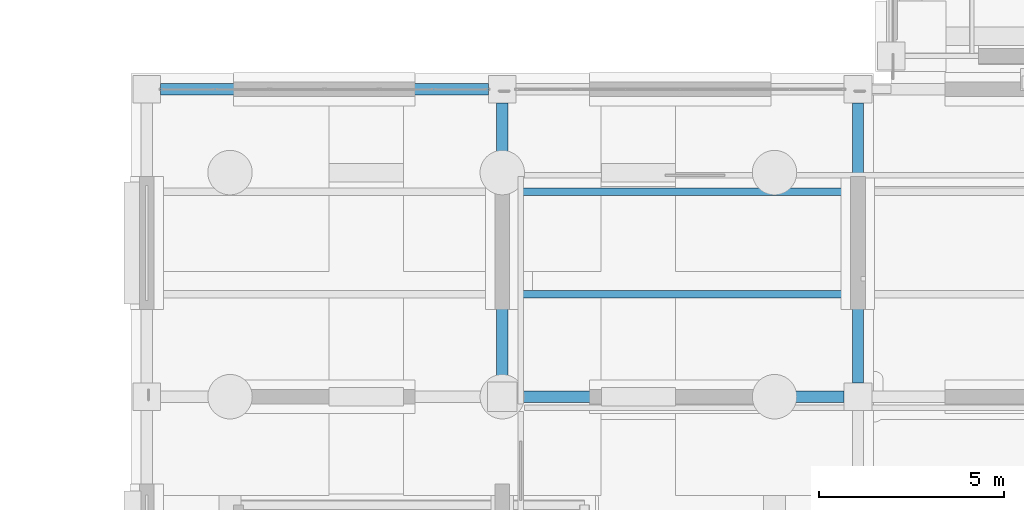
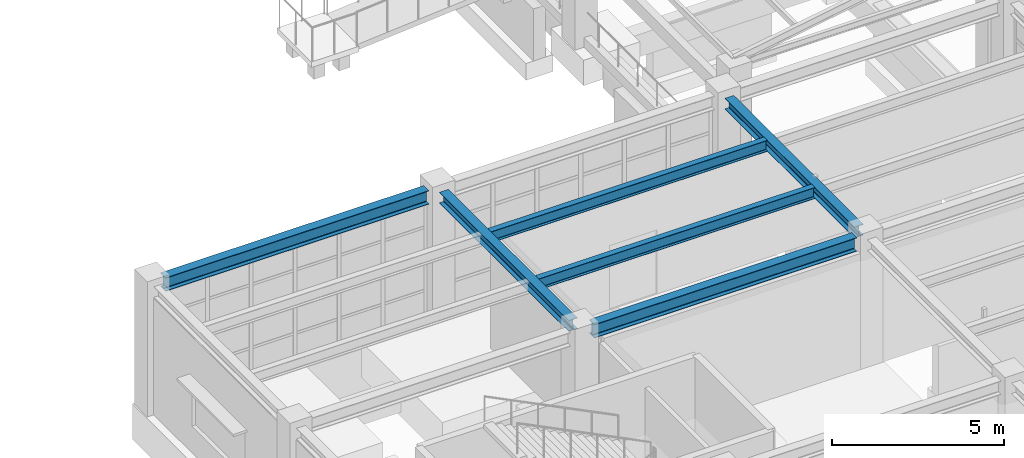
# One storey, part 49 of 111: 6 beams.
"""IFC4 building model written with IfcOpenShell, lengths in metres."""

from ifc_helpers import new_model, si_unit, direction, frame, origin, origin_2d, place, context, subcontext, project, spatial, i_section, extrude, material, material_profile, profile_set, type_object, element, save


model = new_model("IFC4")

# Units and contexts
model_context = context("Model", 3, precision=1e-05, world=origin(), true_north=direction((0.0, 1.0)))
body_context = subcontext(model_context, "Body", "Model", "MODEL_VIEW")
ifc_project = project(units=[si_unit("LENGTHUNIT", "METRE"), si_unit("AREAUNIT", "SQUARE_METRE"), si_unit("VOLUMEUNIT", "CUBIC_METRE"), si_unit("PLANEANGLEUNIT", "RADIAN"), si_unit("MASSUNIT", "GRAM", prefix="KILO")], contexts=[model_context])

# Site, building, storey
site_placement = place(None, origin())
site = spatial("IfcSite", under=ifc_project, at=site_placement, CompositionType="ELEMENT")
building_placement = place(site_placement, origin())
building = spatial("IfcBuilding", under=site, at=building_placement, Name="Canglan Escarpment Cableway Terminal", CompositionType="ELEMENT")
storey_placement = place(building_placement, frame((0.0, 0.0, 4.800048828125)))
storey = spatial("IfcBuildingStorey", under=building, at=storey_placement, Name="L01", CompositionType="ELEMENT", Elevation=4.800048828125)

# Beams
ifc_material = material(Name="Steel Q355B", Category="steel")
ifc_material_profile_1 = material_profile(ifc_material, i_section(OverallWidth=0.300048828125, OverallDepth=0.389892578125, WebThickness=0.010009765625, FlangeThickness=0.01611328125, FilletRadius=0.02197265625, at=origin_2d()), Name="HM 390x300x10x16")
ifc_profile_set_1 = profile_set([ifc_material_profile_1], Name="Steel Q355B")
beam_type_1 = type_object("IfcBeamType", Name="BM-ARCH-TOP-HM390", PredefinedType="BEAM", material=ifc_profile_set_1)
beam_1_placement = place(storey_placement, frame((156.800048828125, 25.199951171875, 4.35498046875), z_axis=(0.0, 1.0, 0.0), x_axis=(-1.0, 0.0, 0.0)))
element("IfcBeam", 1, at=beam_1_placement, inside=storey, type_object=beam_type_1, Name="Primary transverse girder AR-TC1", PredefinedType="BEAM", context=body_context, shape_type="SweptSolid", body=[
    extrude(i_section(OverallWidth=0.300048828125, OverallDepth=0.389892578125, WebThickness=0.010009765625, FlangeThickness=0.01611328125, FilletRadius=0.02197265625, at=origin_2d()), origin(), (0.0, 0.0, 1.0), 7.525146484375),
])
beam_2_placement = place(storey_placement, frame((166.39990234375, 25.175048828125, 4.3349609375), z_axis=(0.0, 1.0, 0.0), x_axis=(-1.0, 0.0, 0.0)))
element("IfcBeam", 2, at=beam_2_placement, inside=storey, type_object=beam_type_1, Name="Primary transverse girder AR-TC1", PredefinedType="BEAM", context=body_context, shape_type="SweptSolid", body=[
    extrude(i_section(OverallWidth=0.300048828125, OverallDepth=0.389892578125, WebThickness=0.010009765625, FlangeThickness=0.01611328125, FilletRadius=0.02197265625, at=origin_2d()), origin(), (0.0, 0.0, 1.0), 7.550048828125),
])
ifc_material_profile_2 = material_profile(ifc_material, i_section(OverallWidth=0.300048828125, OverallDepth=0.488037109375, WebThickness=0.010986328125, FlangeThickness=0.01806640625, FilletRadius=0.02587890625, at=origin_2d()), Name="HM 488x300x11x18")
ifc_profile_set_2 = profile_set([ifc_material_profile_2], Name="Steel Q355B")
beam_type_2 = type_object("IfcBeamType", Name="BM-HM488", PredefinedType="BEAM", material=ifc_profile_set_2)
beam_3_placement = place(storey_placement, frame((157.199951171875, 24.800048828125, 4.305908203125), z_axis=(1.0, 0.0, 0.0), x_axis=(0.0, 1.0, 0.0)))
element("IfcBeam", 3, at=beam_3_placement, inside=storey, type_object=beam_type_2, Name="Primary structural girder B-09", PredefinedType="BEAM", context=body_context, shape_type="SweptSolid", body=[
    extrude(i_section(OverallWidth=0.300048828125, OverallDepth=0.488037109375, WebThickness=0.010986328125, FlangeThickness=0.01806640625, FilletRadius=0.02587890625, at=origin_2d()), origin(), (0.0, 0.0, 1.0), 8.824951171875),
])
beam_4_placement = place(storey_placement, frame((147.574951171875, 33.10009765625, 4.305908203125), z_axis=(1.0, 0.0, 0.0), x_axis=(0.0, 1.0, 0.0)))
element("IfcBeam", 4, at=beam_4_placement, inside=storey, type_object=beam_type_2, Name="Primary structural girder B-09", PredefinedType="BEAM", context=body_context, shape_type="SweptSolid", body=[
    extrude(i_section(OverallWidth=0.300048828125, OverallDepth=0.488037109375, WebThickness=0.010986328125, FlangeThickness=0.01806640625, FilletRadius=0.02587890625, at=origin_2d()), origin(), (0.0, 0.0, 1.0), 8.85009765625),
])
ifc_material_profile_3 = material_profile(ifc_material, i_section(OverallWidth=0.199951171875, OverallDepth=0.39990234375, WebThickness=0.008056640625, FlangeThickness=0.012939453125, FilletRadius=0.01611328125, at=origin_2d()), Name="HN 400x200x8x13")
ifc_profile_set_3 = profile_set([ifc_material_profile_3], Name="Steel Q355B")
beam_type_3 = type_object("IfcBeamType", Name="JS-HN400", PredefinedType="JOIST", material=ifc_profile_set_3)
for number, where, z_axis, x_axis, name in (
    (5, (156.949951171875, 27.566650390625, 4.349853515625), (1.0, 0.0, 0.0), (0.0, 1.0, 0.0), "Secondary composite deck joist J-03"),
    (6, (156.949951171875, 30.333251953125, 4.349853515625), (1.0, 0.0, 0.0), (0.0, 1.0, 0.0), "Secondary composite deck joist J-03"),
):
    element("IfcBeam", number, at=place(storey_placement, frame(where, z_axis=z_axis, x_axis=x_axis)), inside=storey, type_object=beam_type_3, Name=name, PredefinedType="JOIST", context=body_context, shape_type="SweptSolid", body=[
        extrude(i_section(OverallWidth=0.199951171875, OverallDepth=0.39990234375, WebThickness=0.008056640625, FlangeThickness=0.012939453125, FilletRadius=0.01611328125, at=origin_2d()), origin(), (0.0, 0.0, 1.0), 9.300048828125),
    ])

save(model, "model.ifc")
